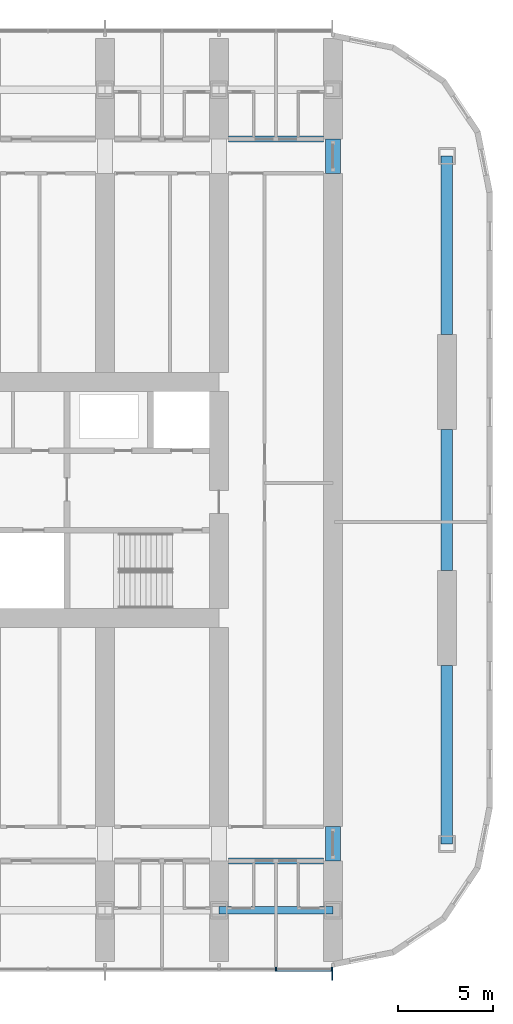
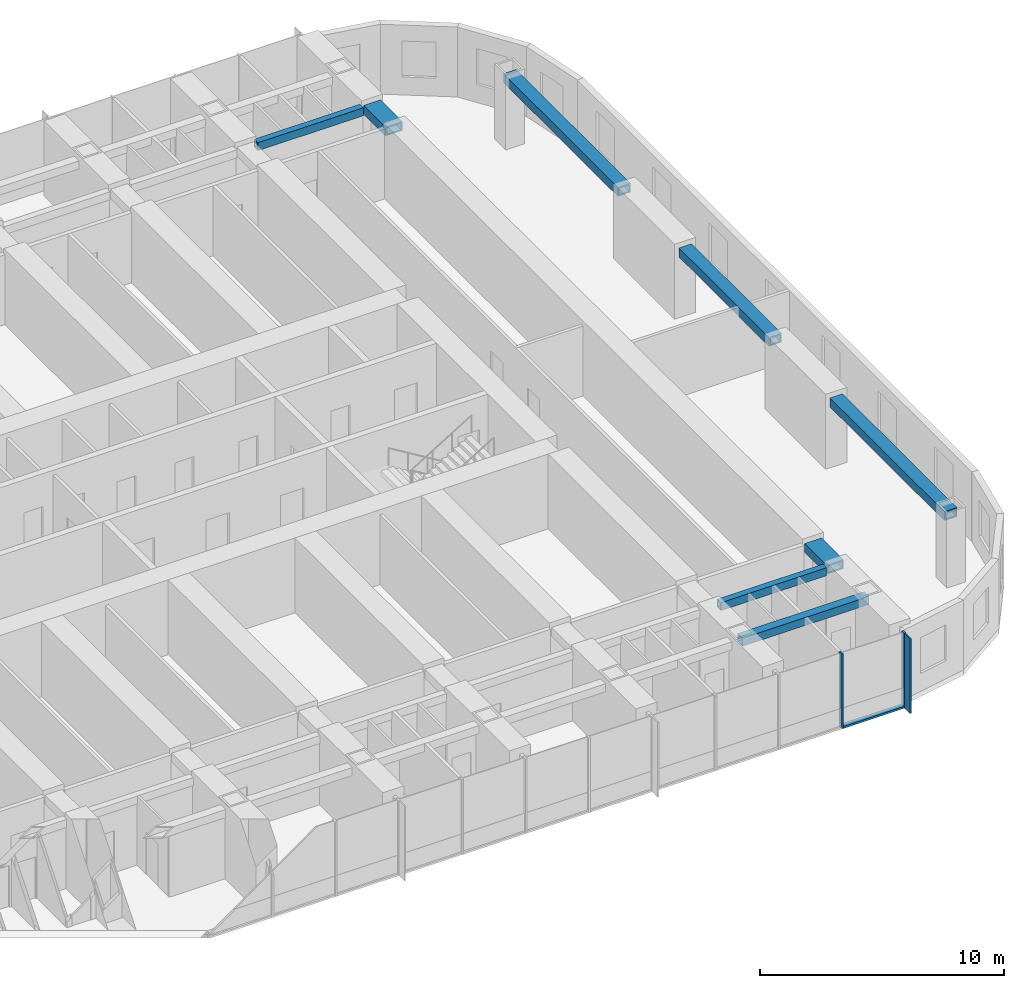
# One storey, part 6 of 24: 8 beams, 4 members, 1 element without a shape of its own.
"""IFC4 building model written with IfcOpenShell, lengths in metres."""

from ifc_helpers import new_model, si_unit, direction, frame, origin, origin_2d, place, context, subcontext, project, spatial, rectangle, hollow_rectangle, extrude, material, material_profile, profile_set, type_object, element, aggregate, save


model = new_model("IFC4")

# Units and contexts
model_context = context("Model", 3, precision=1e-05, world=origin(), true_north=direction((0.0, 1.0)))
body_context = subcontext(model_context, "Body", "Model", "MODEL_VIEW")
ifc_project = project(units=[si_unit("LENGTHUNIT", "METRE"), si_unit("AREAUNIT", "SQUARE_METRE"), si_unit("VOLUMEUNIT", "CUBIC_METRE"), si_unit("PLANEANGLEUNIT", "RADIAN"), si_unit("MASSUNIT", "GRAM", prefix="KILO")], contexts=[model_context])

# Site, building, storey
site_placement = place(None, origin())
site = spatial("IfcSite", under=ifc_project, at=site_placement, CompositionType="ELEMENT")
building_placement = place(site_placement, origin())
building = spatial("IfcBuilding", under=site, at=building_placement, Name="Orbita Commons", CompositionType="ELEMENT")
storey_placement = place(building_placement, frame((0.0, 0.0, 27.699951171875)))
storey = spatial("IfcBuildingStorey", under=building, at=storey_placement, Name="L06", CompositionType="ELEMENT", Elevation=27.699951171875)

# Curtain wall, members
ifc_material_1 = material(Name="Anodised aluminium frame, pale silver", Category="aluminium")
curtain_wall_type = type_object("IfcCurtainWallType", Name="Unitised curtain wall CW-T, vision and spandrel", PredefinedType="NOTDEFINED", material=ifc_material_1)
curtain_wall_placement = place(storey_placement, origin())
curtain_wall = element("IfcCurtainWall", 1, at=curtain_wall_placement, inside=storey, type_object=curtain_wall_type, Name="Curtain wall south L06", PredefinedType="NOTDEFINED")
ifc_material_2 = material(Name="Anodised aluminium, pale silver", Category="aluminium")
ifc_material_profile_1 = material_profile(ifc_material_2, rectangle(XDim=0.080078125, YDim=0.219970703125, at=origin_2d()), Name="AL 80x220")
ifc_profile_set_1 = profile_set([ifc_material_profile_1], Name="Anodised aluminium, pale silver")
member_type_1 = type_object("IfcMemberType", Name="Curtain wall mullion 80x220", PredefinedType="MULLION", material=ifc_profile_set_1)
member_1_placement = place(storey_placement, frame((69.0, 7.2900390625, -0.25), z_axis=(0.0, 0.0, 1.0), x_axis=(1.0, 0.0, 0.0)))
member_1 = element("IfcMember", 2, at=member_1_placement, type_object=member_type_1, Name="Mullion 20 CW-L06-S", PredefinedType="MULLION", context=body_context, shape_type="SweptSolid", body=[
    extrude(rectangle(XDim=0.080078125, YDim=0.219970703125, at=origin_2d()), origin(), (0.0, 0.0, 1.0), 3.75),
])
member_2_placement = place(storey_placement, frame((71.9599609375, 7.2900390625, -0.25), z_axis=(0.0, 0.0, 1.0), x_axis=(1.0, 0.0, 0.0)))
member_2 = element("IfcMember", 3, at=member_2_placement, type_object=member_type_1, Name="Mullion 21 CW-L06-S", PredefinedType="MULLION", context=body_context, shape_type="SweptSolid", body=[
    extrude(rectangle(XDim=0.080078125, YDim=0.219970703125, at=origin_2d()), origin(), (0.0, 0.0, 1.0), 3.75),
])
ifc_material_3 = material(Name="Anodised aluminium, pale silver", Category="aluminium")
ifc_material_profile_2 = material_profile(ifc_material_3, rectangle(XDim=0.219970703125, YDim=0.10009765625, at=origin_2d()), Name="AL 220x100")
ifc_profile_set_2 = profile_set([ifc_material_profile_2], Name="Anodised aluminium, pale silver")
member_type_2 = type_object("IfcMemberType", Name="Curtain wall stack transom 220x100", PredefinedType="USERDEFINED", material=ifc_profile_set_2)
member_3_placement = place(storey_placement, frame((69.0400390625, 7.2900390625, -0.199951171875), z_axis=(1.0, 0.0, 0.0), x_axis=(0.0, 1.0, 0.0)))
member_3 = element("IfcMember", 4, at=member_3_placement, type_object=member_type_2, Name="Transom 20.1 CW-L06-S", ObjectType="TRANSOM", PredefinedType="USERDEFINED", context=body_context, shape_type="SweptSolid", body=[
    extrude(rectangle(XDim=0.219970703125, YDim=0.10009765625, at=origin_2d()), origin(), (0.0, 0.0, 1.0), 2.8798828125),
])

# Beams
ifc_material_4 = material(Name="Steel ASTM A572 Gr 50 welded plate", Category="steel")
ifc_material_profile_3 = material_profile(ifc_material_4, hollow_rectangle(XDim=0.300048828125, YDim=0.39990234375, WallThickness=0.0400390625, at=origin_2d()), Name="BOX 400x300x40")
ifc_profile_set_3 = profile_set([ifc_material_profile_3], Name="Steel ASTM A572 Gr 50 welded plate")
beam_type_1 = type_object("IfcBeamType", Name="Steel corridor link BOX 400x300x40", PredefinedType="BEAM", material=ifc_profile_set_3)
for number, where, z_axis, x_axis, name in (
    (5, (66.5, 13.0, 3.300048828125), (1.0, 0.0, 0.0), (0.0, 1.0, 0.0), "Corridor beam SA 12-13 L06"),
    (6, (66.5, 51.0, 3.300048828125), (1.0, 0.0, 0.0), (0.0, 1.0, 0.0), "Corridor beam NB 12-13 L06"),
):
    element("IfcBeam", number, at=place(storey_placement, frame(where, z_axis=z_axis, x_axis=x_axis)), inside=storey, type_object=beam_type_1, Name=name, PredefinedType="BEAM", context=body_context, shape_type="SweptSolid", body=[
        extrude(hollow_rectangle(XDim=0.300048828125, YDim=0.39990234375, WallThickness=0.0400390625, at=origin_2d()), origin(), (0.0, 0.0, 1.0), 5.0),
    ])
ifc_material_5 = material(Name="Steel ASTM A572 Gr 50 welded plate", Category="steel")
ifc_material_profile_4 = material_profile(ifc_material_5, hollow_rectangle(XDim=0.800048828125, YDim=0.449951171875, WallThickness=0.06005859375, at=origin_2d()), Name="BOX 450x800x60")
ifc_profile_set_4 = profile_set([ifc_material_profile_4], Name="Steel ASTM A572 Gr 50 welded plate")
beam_type_2 = type_object("IfcBeamType", Name="Steel coupling link BOX 450x800x60", PredefinedType="LINTEL", material=ifc_profile_set_4)
for number, where, z_axis, x_axis, name in (
    (7, (72.0, 13.0, 3.275146484375), (0.0, 1.0, 0.0), (-1.0, 0.0, 0.0), "Coupling beam 13 south L06"),
    (8, (72.0, 49.199951171875, 3.275146484375), (0.0, 1.0, 0.0), (-1.0, 0.0, 0.0), "Coupling beam 13 north L06"),
):
    element("IfcBeam", number, at=place(storey_placement, frame(where, z_axis=z_axis, x_axis=x_axis)), inside=storey, type_object=beam_type_2, Name=name, PredefinedType="LINTEL", context=body_context, shape_type="SweptSolid", body=[
        extrude(hollow_rectangle(XDim=0.800048828125, YDim=0.449951171875, WallThickness=0.06005859375, at=origin_2d()), origin(), (0.0, 0.0, 1.0), 1.800048828125),
    ])
ifc_material_6 = material(Name="Steel ASTM A572 Gr 50 welded plate", Category="steel")
ifc_material_profile_5 = material_profile(ifc_material_6, hollow_rectangle(XDim=0.60009765625, YDim=0.449951171875, WallThickness=0.06005859375, at=origin_2d()), Name="BOX 450x600x60")
ifc_profile_set_5 = profile_set([ifc_material_profile_5], Name="Steel ASTM A572 Gr 50 welded plate")
beam_type_3 = type_object("IfcBeamType", Name="Steel end frame link BOX 450x600x60", PredefinedType="BEAM", material=ifc_profile_set_5)
beam_1_placement = place(storey_placement, frame((78.0, 13.89990234375, 3.275146484375), z_axis=(0.0, 1.0, 0.0), x_axis=(-1.0, 0.0, 0.0)))
element("IfcBeam", 9, at=beam_1_placement, inside=storey, type_object=beam_type_3, Name="End frame beam 14 B-C L06", PredefinedType="BEAM", context=body_context, shape_type="SweptSolid", body=[
    extrude(hollow_rectangle(XDim=0.60009765625, YDim=0.449951171875, WallThickness=0.06005859375, at=origin_2d()), origin(), (0.0, 0.0, 1.0), 9.400146484375),
])
beam_2_placement = place(storey_placement, frame((78.0, 28.300048828125, 3.275146484375), z_axis=(0.0, 1.0, 0.0), x_axis=(-1.0, 0.0, 0.0)))
element("IfcBeam", 10, at=beam_2_placement, inside=storey, type_object=beam_type_3, Name="End frame beam 14 C-D L06", PredefinedType="BEAM", context=body_context, shape_type="SweptSolid", body=[
    extrude(hollow_rectangle(XDim=0.60009765625, YDim=0.449951171875, WallThickness=0.06005859375, at=origin_2d()), origin(), (0.0, 0.0, 1.0), 7.39990234375),
])
beam_3_placement = place(storey_placement, frame((78.0, 40.699951171875, 3.275146484375), z_axis=(0.0, 1.0, 0.0), x_axis=(-1.0, 0.0, 0.0)))
element("IfcBeam", 11, at=beam_3_placement, inside=storey, type_object=beam_type_3, Name="End frame beam 14 D-E L06", PredefinedType="BEAM", context=body_context, shape_type="SweptSolid", body=[
    extrude(hollow_rectangle(XDim=0.60009765625, YDim=0.449951171875, WallThickness=0.06005859375, at=origin_2d()), origin(), (0.0, 0.0, 1.0), 9.400146484375),
])
ifc_material_7 = material(Name="Steel ASTM A572 Gr 50 welded plate", Category="steel")
ifc_material_profile_6 = material_profile(ifc_material_7, hollow_rectangle(XDim=0.39990234375, YDim=0.39990234375, WallThickness=0.0400390625, at=origin_2d()), Name="BOX 400x400x40")
ifc_profile_set_6 = profile_set([ifc_material_profile_6], Name="Steel ASTM A572 Gr 50 welded plate")
beam_type_4 = type_object("IfcBeamType", Name="Steel spandrel BOX 400x400x40", PredefinedType="SPANDREL", material=ifc_profile_set_6)
beam_4_placement = place(storey_placement, frame((66.0, 10.39990234375, 3.300048828125), z_axis=(1.0, 0.0, 0.0), x_axis=(0.0, 1.0, 0.0)))
element("IfcBeam", 12, at=beam_4_placement, inside=storey, type_object=beam_type_4, Name="Spandrel beam B 12-13 L06", PredefinedType="SPANDREL", context=body_context, shape_type="SweptSolid", body=[
    extrude(hollow_rectangle(XDim=0.39990234375, YDim=0.39990234375, WallThickness=0.0400390625, at=origin_2d()), origin(), (0.0, 0.0, 1.0), 6.0),
])

# Member
ifc_material_8 = material(Name="Anodised aluminium, pale silver", Category="aluminium")
ifc_material_profile_7 = material_profile(ifc_material_8, rectangle(XDim=0.06005859375, YDim=0.449951171875, at=origin_2d()), Name="FIN 60x450")
ifc_profile_set_7 = profile_set([ifc_material_profile_7], Name="Anodised aluminium, pale silver")
member_type_3 = type_object("IfcMemberType", Name="Vertical fin 60x450 pale aluminium", PredefinedType="USERDEFINED", material=ifc_profile_set_7)
member_4_placement = place(storey_placement, frame((71.9599609375, 6.955078125, -0.25), z_axis=(0.0, 0.0, 1.0), x_axis=(1.0, 0.0, 0.0)))
member_4 = element("IfcMember", 13, at=member_4_placement, type_object=member_type_3, Name="Fin 21 CW-L06-S", ObjectType="FIN", PredefinedType="USERDEFINED", context=body_context, shape_type="SweptSolid", body=[
    extrude(rectangle(XDim=0.06005859375, YDim=0.449951171875, at=origin_2d()), origin(), (0.0, 0.0, 1.0), 3.75),
])

aggregate(curtain_wall, [member_1, member_2, member_4, member_3])

save(model, "model.ifc")
